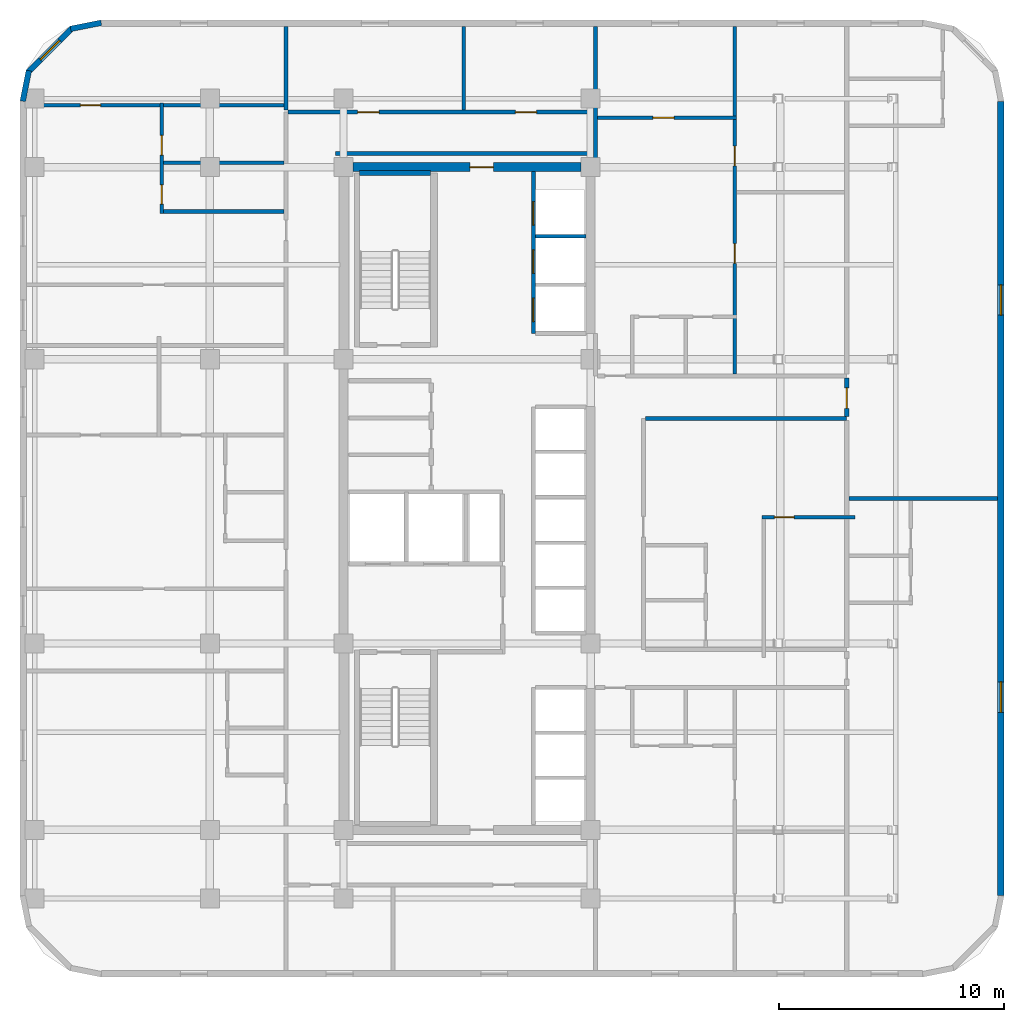
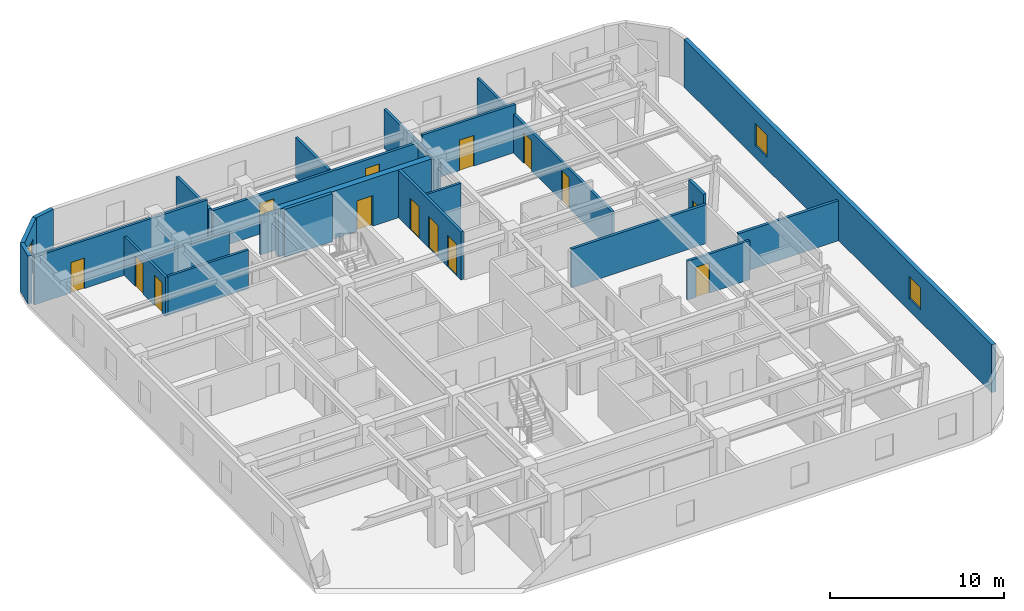
# One storey, part 6 of 8: 23 walls, 14 doors, 3 windows, 17 openings.
"""IFC4 building model written with IfcOpenShell, lengths in metres."""

from ifc_helpers import new_model, si_unit, direction, frame, frame_2d, origin, place, context, subcontext, project, spatial, rectangle, extrude, material, layer, layer_set, type_object, element, fill, save


model = new_model("IFC4")

# Units and contexts
model_context = context("Model", 3, precision=1e-05, world=origin(), true_north=direction((0.0, 1.0)))
body_context = subcontext(model_context, "Body", "Model", "MODEL_VIEW")
ifc_project = project(units=[si_unit("LENGTHUNIT", "METRE"), si_unit("AREAUNIT", "SQUARE_METRE"), si_unit("VOLUMEUNIT", "CUBIC_METRE"), si_unit("PLANEANGLEUNIT", "RADIAN"), si_unit("MASSUNIT", "GRAM", prefix="KILO")], contexts=[model_context])

# Site, building, storey
site_placement = place(None, origin())
site = spatial("IfcSite", under=ifc_project, at=site_placement, CompositionType="ELEMENT")
building_placement = place(site_placement, origin())
building = spatial("IfcBuilding", under=site, at=building_placement, Name="Ochreholt Gables", CompositionType="ELEMENT")
storey_placement = place(building_placement, frame((0.0, 0.0, 102.60009765625)))
storey = spatial("IfcBuildingStorey", under=building, at=storey_placement, Name="L26", CompositionType="ELEMENT", Elevation=102.60009765625)

# Wall, opening, door
ifc_material_1 = material(Name="Concrete 60 MPa", Category="concrete")
ifc_layer_1 = layer(ifc_material_1, 0.39990234375, Name="Concrete 60 MPa")
ifc_layer_set_1 = layer_set([ifc_layer_1], Name="Concrete 60 MPa")
wall_type_1 = type_object("IfcWallType", Name="WALL-CSW-400", PredefinedType="SHEAR", material=ifc_layer_set_1)
wall_1_placement = place(storey_placement, frame((24.625, 38.75, 0.0), z_axis=(0.0, 0.0, 1.0), x_axis=(1.0, 0.0, 0.0)))
wall_1 = element("IfcWall", 1, at=wall_1_placement, inside=storey, type_object=wall_type_1, Name="L26 Core North Shear Wall", PredefinedType="SHEAR", context=body_context, shape_type="SweptSolid", body=[
    extrude(rectangle(XDim=10.14990234375, YDim=0.39990234375, at=frame_2d((5.074951171875, 0.0))), origin(), (0.0, 0.0, 1.0), 3.35986328125),
])
opening_1_placement = place(wall_1_placement, frame((5.199951171875, 0.0, 0.0)))
opening_1 = element("IfcOpeningElement", 2, at=opening_1_placement, cuts=wall_1, Name="Opening D-FLB", PredefinedType="OPENING", context=body_context, shape_type="SweptSolid", body=[
    extrude(rectangle(XDim=1.050048828125, YDim=2.14990234375, at=frame_2d((0.52490234375, 1.074951171875))), frame((0.0, 0.2099609375, 0.0), z_axis=(0.0, -1.0, 0.0), x_axis=(1.0, 0.0, 0.0)), (0.0, 0.0, 1.0), 0.419921875),
])
ifc_material_2 = material(Name="Hollow Metal Steel", Category="steel")
door_type_1 = type_object("IfcDoorType", Name="DR-INT-FLB1050", OperationType="NOTDEFINED", PredefinedType="DOOR", material=ifc_material_2)
door_1_placement = place(opening_1_placement, frame((1.050048828125, 0.0, 0.0), z_axis=(0.0, 0.0, 1.0), x_axis=(-1.0, 0.0, 0.0)))
door_1 = element("IfcDoor", 3, at=door_1_placement, inside=storey, type_object=door_type_1, Name="L26 Door D-C2CRN-L26", OperationType="SINGLE_SWING_RIGHT", OverallHeight=2.14990234375, OverallWidth=1.050048828125, PredefinedType="DOOR", context=body_context, shape_type="SweptSolid", body=[
    extrude(rectangle(XDim=1.050048828125, YDim=2.14990234375, at=frame_2d((0.52490234375, 1.074951171875))), frame((0.0, 0.02490234375, 0.0), z_axis=(0.0, -1.0, 0.0), x_axis=(1.0, 0.0, 0.0)), (0.0, 0.0, 1.0), 0.050048828125),
])
fill(opening_1, door_1)

# Wall, openings, windows
ifc_material_3 = material(Name="Precast concrete 40 MPa", Category="concrete")
ifc_layer_2 = layer(ifc_material_3, 0.280029296875, Name="Precast concrete 40 MPa")
ifc_layer_set_2 = layer_set([ifc_layer_2], Name="Precast concrete 40 MPa")
wall_type_2 = type_object("IfcWallType", Name="WALL-EXT-280", PredefinedType="SOLIDWALL", material=ifc_layer_set_2)
wall_2_placement = place(storey_placement, frame((53.4599609375, 6.320068359375, 0.0), z_axis=(0.0, 0.0, 1.0), x_axis=(0.0, 1.0, 0.0)))
wall_2 = element("IfcWall", 4, at=wall_2_placement, inside=storey, type_object=wall_type_2, Name="L26 East Exterior Wall", PredefinedType="SOLIDWALL", context=body_context, shape_type="SweptSolid", body=[
    extrude(rectangle(XDim=35.35986328125, YDim=0.280029296875, at=frame_2d((17.679931640625, 0.0))), origin(), (0.0, 0.0, 1.0), 3.35986328125),
])
opening_2_placement = place(wall_2_placement, frame((8.1650390625, 0.0, 0.85009765625)))
opening_2 = element("IfcOpeningElement", 5, at=opening_2_placement, cuts=wall_2, Name="Opening WN-8", PredefinedType="OPENING", context=body_context, shape_type="SweptSolid", body=[
    extrude(rectangle(XDim=1.35009765625, YDim=1.550048828125, at=frame_2d((0.675048828125, 0.77490234375))), frame((0.0, 0.14990234375, 0.0), z_axis=(0.0, -1.0, 0.0), x_axis=(1.0, 0.0, 0.0)), (0.0, 0.0, 1.0), 0.300048828125),
])
opening_3_placement = place(wall_2_placement, frame((25.844970703125, 0.0, 0.85009765625)))
opening_3 = element("IfcOpeningElement", 6, at=opening_3_placement, cuts=wall_2, Name="Opening WN-8", PredefinedType="OPENING", context=body_context, shape_type="SweptSolid", body=[
    extrude(rectangle(XDim=1.35009765625, YDim=1.550048828125, at=frame_2d((0.675048828125, 0.77490234375))), frame((0.0, 0.14990234375, 0.0), z_axis=(0.0, -1.0, 0.0), x_axis=(1.0, 0.0, 0.0)), (0.0, 0.0, 1.0), 0.300048828125),
])
ifc_material_4 = material(Name="Triple-Glazed Thermally Broken Aluminium Window", Category="aluminium")
window_type_1 = type_object("IfcWindowType", Name="WIN-RES-1350", PartitioningType="SINGLE_PANEL", PredefinedType="WINDOW", material=ifc_material_4)
window_1_placement = place(opening_2_placement, origin())
window_1 = element("IfcWindow", 7, at=window_1_placement, inside=storey, type_object=window_type_1, Name="L26 Window W-EXT-E-L26-1", OverallHeight=1.550048828125, OverallWidth=1.35009765625, PartitioningType="SINGLE_PANEL", PredefinedType="WINDOW", context=body_context, shape_type="SweptSolid", body=[
    extrude(rectangle(XDim=1.35009765625, YDim=1.550048828125, at=frame_2d((0.675048828125, 0.77490234375))), frame((0.0, 0.030029296875, 0.0), z_axis=(0.0, -1.0, 0.0), x_axis=(1.0, 0.0, 0.0)), (0.0, 0.0, 1.0), 0.06005859375),
])
fill(opening_2, window_1)
window_2_placement = place(opening_3_placement, origin())
window_2 = element("IfcWindow", 8, at=window_2_placement, inside=storey, type_object=window_type_1, Name="L26 Window W-EXT-E-L26-2", OverallHeight=1.550048828125, OverallWidth=1.35009765625, PartitioningType="SINGLE_PANEL", PredefinedType="WINDOW", context=body_context, shape_type="SweptSolid", body=[
    extrude(rectangle(XDim=1.35009765625, YDim=1.550048828125, at=frame_2d((0.675048828125, 0.77490234375))), frame((0.0, 0.030029296875, 0.0), z_axis=(0.0, -1.0, 0.0), x_axis=(1.0, 0.0, 0.0)), (0.0, 0.0, 1.0), 0.06005859375),
])
fill(opening_3, window_2)

# Wall
ifc_layer_3 = layer(ifc_material_3, 0.25, Name="Precast concrete 40 MPa")
ifc_layer_set_3 = layer_set([ifc_layer_3], Name="Precast concrete 40 MPa")
wall_type_3 = type_object("IfcWallType", Name="WALL-EXT-CNR", PredefinedType="SOLIDWALL", material=ifc_layer_set_3)
wall_3_placement = place(storey_placement, frame((13.41650390625, 45.17578125, 0.0), z_axis=(0.0, 0.0, 1.0), x_axis=(-0.980809899341, -0.19496651342, 0.0)))
element("IfcWall", 9, at=wall_3_placement, inside=storey, type_object=wall_type_3, Name="L26 Rounded Corner Wall NW-1", PredefinedType="SOLIDWALL", context=body_context, shape_type="SweptSolid", body=[
    extrude(rectangle(XDim=1.388671875, YDim=0.25, at=frame_2d((0.6943359375, 0.0))), origin(), (0.0, 0.0, 1.0), 3.35986328125),
])

# Wall, opening, window
wall_4_placement = place(storey_placement, frame((12.10498046875, 44.931884765625, 0.0), z_axis=(0.0, 0.0, 1.0), x_axis=(-0.707151344399, -0.707062215165, 0.0)))
wall_4 = element("IfcWall", 10, at=wall_4_placement, inside=storey, type_object=wall_type_3, Name="L26 Rounded Corner Wall NW-2", PredefinedType="SOLIDWALL", context=body_context, shape_type="SweptSolid", body=[
    extrude(rectangle(XDim=2.7392578125, YDim=0.25, at=frame_2d((1.36962890625, 0.0))), origin(), (0.0, 0.0, 1.0), 3.35986328125),
])
opening_4_placement = place(wall_4_placement, frame((0.769775390625, 0.0, 0.85009765625)))
opening_4 = element("IfcOpeningElement", 11, at=opening_4_placement, cuts=wall_4, Name="Opening WN-3", PredefinedType="OPENING", context=body_context, shape_type="SweptSolid", body=[
    extrude(rectangle(XDim=1.199951171875, YDim=1.5, at=frame_2d((0.60009765625, 0.75))), frame((0.0, 0.135009765625, 0.0), z_axis=(0.0, -1.0, 0.0), x_axis=(1.0, 0.0, 0.0)), (0.0, 0.0, 1.0), 0.27001953125),
])
window_type_2 = type_object("IfcWindowType", Name="WIN-RES-1200", PartitioningType="SINGLE_PANEL", PredefinedType="WINDOW", material=ifc_material_4)
window_3_placement = place(opening_4_placement, origin())
window_3 = element("IfcWindow", 12, at=window_3_placement, inside=storey, type_object=window_type_2, Name="L26 Corner Bedroom Window NW", OverallHeight=1.5, OverallWidth=1.199951171875, PartitioningType="SINGLE_PANEL", PredefinedType="WINDOW", context=body_context, shape_type="SweptSolid", body=[
    extrude(rectangle(XDim=1.199951171875, YDim=1.5, at=frame_2d((0.60009765625, 0.75))), frame((0.0, 0.030029296875, 0.0), z_axis=(0.0, -1.0, 0.0), x_axis=(1.0, 0.0, 0.0)), (0.0, 0.0, 1.0), 0.06005859375),
])
fill(opening_4, window_3)

# Walls
wall_5_placement = place(storey_placement, frame((10.195068359375, 43.04541015625, 0.0), z_axis=(0.0, 0.0, 1.0), x_axis=(-0.195000137217, -0.980803214965, 0.0)))
element("IfcWall", 13, at=wall_5_placement, inside=storey, type_object=wall_type_3, Name="L26 Rounded Corner Wall NW-3", PredefinedType="SOLIDWALL", context=body_context, shape_type="SweptSolid", body=[
    extrude(rectangle(XDim=1.388427734375, YDim=0.25, at=frame_2d((0.6943359375, 0.0))), origin(), (0.0, 0.0, 1.0), 3.35986328125),
])
ifc_material_5 = material(Name="Fire-Rated Gypsum Acoustic Partition", Category="gypsum")
ifc_layer_4 = layer(ifc_material_5, 0.179931640625, Name="Fire-Rated Gypsum Acoustic Partition")
ifc_layer_set_4 = layer_set([ifc_layer_4], Name="Fire-Rated Gypsum Acoustic Partition")
wall_type_4 = type_object("IfcWallType", Name="WALL-INT-CR180", PredefinedType="STANDARD", material=ifc_layer_set_4)
wall_6_placement = place(storey_placement, frame((37.639892578125, 27.56005859375, 0.0), z_axis=(0.0, 0.0, 1.0), x_axis=(1.0, 0.0, 0.0)))
element("IfcWall", 14, at=wall_6_placement, inside=storey, type_object=wall_type_4, Name="L26 Interior Wall WI-C2SN1-L26", PredefinedType="STANDARD", context=body_context, shape_type="SweptSolid", body=[
    extrude(rectangle(XDim=8.960205078125, YDim=0.179931640625, at=frame_2d((4.47998046875, 0.0))), origin(), (0.0, 0.0, 1.0), 2.73095703125),
])

# Wall, openings, doors
wall_7_placement = place(storey_placement, frame((21.739990234375, 41.199951171875, 0.0), z_axis=(0.0, 0.0, 1.0), x_axis=(1.0, 0.0, 0.0)))
wall_7 = element("IfcWall", 15, at=wall_7_placement, inside=storey, type_object=wall_type_4, Name="L26 Interior Wall WI-C2WCN-L26", PredefinedType="STANDARD", context=body_context, shape_type="SweptSolid", body=[
    extrude(rectangle(XDim=13.679931640625, YDim=0.179931640625, at=frame_2d((6.83984375, 0.0))), origin(), (0.0, 0.0, 1.0), 2.73095703125),
])
opening_5_placement = place(wall_7_placement, frame((3.090087890625, 0.0, 0.0)))
opening_5 = element("IfcOpeningElement", 16, at=opening_5_placement, cuts=wall_7, Name="Opening D-GN1", PredefinedType="OPENING", context=body_context, shape_type="SweptSolid", body=[
    extrude(rectangle(XDim=0.949951171875, YDim=2.14990234375, at=frame_2d((0.47509765625, 1.074951171875))), frame((0.0, 0.099853515625, 0.0), z_axis=(0.0, -1.0, 0.0), x_axis=(1.0, 0.0, 0.0)), (0.0, 0.0, 1.0), 0.199951171875),
])
opening_6_placement = place(wall_7_placement, frame((10.110107421875, 0.0, 0.0)))
opening_6 = element("IfcOpeningElement", 17, at=opening_6_placement, cuts=wall_7, Name="Opening D-GN1", PredefinedType="OPENING", context=body_context, shape_type="SweptSolid", body=[
    extrude(rectangle(XDim=0.949951171875, YDim=2.14990234375, at=frame_2d((0.47509765625, 1.074951171875))), frame((0.0, 0.099853515625, 0.0), z_axis=(0.0, -1.0, 0.0), x_axis=(1.0, 0.0, 0.0)), (0.0, 0.0, 1.0), 0.199951171875),
])
ifc_material_6 = material(Name="Engineered Oak Timber", Category="wood")
door_type_2 = type_object("IfcDoorType", Name="DR-INT-GEN950", OperationType="NOTDEFINED", PredefinedType="DOOR", material=ifc_material_6)
door_2_placement = place(opening_5_placement, origin())
door_2 = element("IfcDoor", 18, at=door_2_placement, inside=storey, type_object=door_type_2, Name="L26 Door D-C2NRS1-L26", OperationType="SINGLE_SWING_RIGHT", OverallHeight=2.14990234375, OverallWidth=0.949951171875, PredefinedType="DOOR", context=body_context, shape_type="SweptSolid", body=[
    extrude(rectangle(XDim=0.949951171875, YDim=2.14990234375, at=frame_2d((0.47509765625, 1.074951171875))), frame((0.0, 0.02490234375, 0.0), z_axis=(0.0, -1.0, 0.0), x_axis=(1.0, 0.0, 0.0)), (0.0, 0.0, 1.0), 0.050048828125),
])
fill(opening_5, door_2)
door_3_placement = place(opening_6_placement, origin())
door_3 = element("IfcDoor", 19, at=door_3_placement, inside=storey, type_object=door_type_2, Name="L26 Door D-C2NRS2-L26", OperationType="SINGLE_SWING_LEFT", OverallHeight=2.14990234375, OverallWidth=0.949951171875, PredefinedType="DOOR", context=body_context, shape_type="SweptSolid", body=[
    extrude(rectangle(XDim=0.949951171875, YDim=2.14990234375, at=frame_2d((0.47509765625, 1.074951171875))), frame((0.0, 0.02490234375, 0.0), z_axis=(0.0, -1.0, 0.0), x_axis=(1.0, 0.0, 0.0)), (0.0, 0.0, 1.0), 0.050048828125),
])
fill(opening_6, door_3)

# Wall
wall_8_placement = place(storey_placement, frame((23.85009765625, 39.35009765625, 0.0), z_axis=(0.0, 0.0, 1.0), x_axis=(1.0, 0.0, 0.0)))
element("IfcWall", 20, at=wall_8_placement, inside=storey, type_object=wall_type_4, Name="L26 Interior Wall WI-C2WCN2-L26", PredefinedType="STANDARD", context=body_context, shape_type="SweptSolid", body=[
    extrude(rectangle(XDim=11.56982421875, YDim=0.179931640625, at=frame_2d((5.784912109375, 0.0))), origin(), (0.0, 0.0, 1.0), 2.73095703125),
])

# Wall, opening, door
wall_9_placement = place(storey_placement, frame((46.60009765625, 27.64990234375, 0.0), z_axis=(0.0, 0.0, 1.0), x_axis=(0.0, 1.0, 0.0)))
wall_9 = element("IfcWall", 21, at=wall_9_placement, inside=storey, type_object=wall_type_4, Name="L26 Interior Wall WI-C2SNE-L26", PredefinedType="STANDARD", context=body_context, shape_type="SweptSolid", body=[
    extrude(rectangle(XDim=1.72021484375, YDim=0.179931640625, at=frame_2d((0.860107421875, 0.0))), origin(), (0.0, 0.0, 1.0), 3.35986328125),
])
opening_7_placement = place(wall_9_placement, frame((0.360107421875, 0.0, 0.0)))
opening_7 = element("IfcOpeningElement", 22, at=opening_7_placement, cuts=wall_9, Name="Opening D-UN1", PredefinedType="OPENING", context=body_context, shape_type="SweptSolid", body=[
    extrude(rectangle(XDim=0.919921875, YDim=2.14990234375, at=frame_2d((0.4599609375, 1.074951171875))), frame((0.0, 0.099853515625, 0.0), z_axis=(0.0, -1.0, 0.0), x_axis=(1.0, 0.0, 0.0)), (0.0, 0.0, 1.0), 0.199951171875),
])
door_type_3 = type_object("IfcDoorType", Name="DR-INT-UNT920", OperationType="NOTDEFINED", PredefinedType="DOOR", material=ifc_material_6)
door_4_placement = place(opening_7_placement, origin())
door_4 = element("IfcDoor", 23, at=door_4_placement, inside=storey, type_object=door_type_3, Name="L26 Door D-U-L26FEN-ENT", OperationType="SINGLE_SWING_RIGHT", OverallHeight=2.14990234375, OverallWidth=0.919921875, PredefinedType="DOOR", context=body_context, shape_type="SweptSolid", body=[
    extrude(rectangle(XDim=0.919921875, YDim=2.14990234375, at=frame_2d((0.4599609375, 1.074951171875))), frame((0.0, 0.02490234375, 0.0), z_axis=(0.0, -1.0, 0.0), x_axis=(1.0, 0.0, 0.0)), (0.0, 0.0, 1.0), 0.050048828125),
])
fill(opening_7, door_4)

# Walls
ifc_material_7 = material(Name="Double-Stud Acoustic Demising Wall", Category="gypsum")
ifc_layer_5 = layer(ifc_material_7, 0.179931640625, Name="Double-Stud Acoustic Demising Wall")
ifc_layer_set_5 = layer_set([ifc_layer_5], Name="Double-Stud Acoustic Demising Wall")
wall_type_5 = type_object("IfcWallType", Name="WALL-INT-DM180", PredefinedType="PARTITIONING", material=ifc_layer_set_5)
wall_10_placement = place(storey_placement, frame((21.64990234375, 41.2900390625, 0.0), z_axis=(0.0, 0.0, 1.0), x_axis=(0.0, 1.0, 0.0)))
element("IfcWall", 24, at=wall_10_placement, inside=storey, type_object=wall_type_5, Name="L26 Interior Wall WI-C2WWN-L26", PredefinedType="PARTITIONING", context=body_context, shape_type="SweptSolid", body=[
    extrude(rectangle(XDim=3.72998046875, YDim=0.179931640625, at=frame_2d((1.864990234375, 0.0))), origin(), (0.0, 0.0, 1.0), 2.808837890625),
])
wall_11_placement = place(storey_placement, frame((35.419921875, 38.75, 0.0), z_axis=(0.0, 0.0, 1.0), x_axis=(0.0, 1.0, 0.0)))
element("IfcWall", 25, at=wall_11_placement, inside=storey, type_object=wall_type_5, Name="L26 Interior Wall WI-C2NEN-L26", PredefinedType="PARTITIONING", context=body_context, shape_type="SweptSolid", body=[
    extrude(rectangle(XDim=6.27001953125, YDim=0.179931640625, at=frame_2d((3.135009765625, 0.0))), origin(), (0.0, 0.0, 1.0), 2.73095703125),
])
wall_12_placement = place(storey_placement, frame((46.68994140625, 24.0, 0.0), z_axis=(0.0, 0.0, 1.0), x_axis=(1.0, 0.0, 0.0)))
element("IfcWall", 26, at=wall_12_placement, inside=storey, type_object=wall_type_5, Name="L26 Interior Wall WI-C2FED-L26", PredefinedType="PARTITIONING", context=body_context, shape_type="SweptSolid", body=[
    extrude(rectangle(XDim=6.630126953125, YDim=0.179931640625, at=frame_2d((3.31494140625, 0.0))), origin(), (0.0, 0.0, 1.0), 2.808837890625),
])
ifc_material_8 = material(Name="Moisture-Resistant Plumbing Chase Wall", Category="gypsum")
ifc_layer_6 = layer(ifc_material_8, 0.159912109375, Name="Moisture-Resistant Plumbing Chase Wall")
ifc_layer_set_6 = layer_set([ifc_layer_6], Name="Moisture-Resistant Plumbing Chase Wall")
wall_type_6 = type_object("IfcWallType", Name="WALL-INT-PL160", PredefinedType="PLUMBINGWALL", material=ifc_layer_set_6)
wall_13_placement = place(storey_placement, frame((16.030029296875, 36.7744140625, 0.0), z_axis=(0.0, 0.0, 1.0), x_axis=(1.0, 0.0, 0.0)))
element("IfcWall", 27, at=wall_13_placement, inside=storey, type_object=wall_type_6, Name="L26 Interior Wall WU-L26W3-FYS", PredefinedType="PLUMBINGWALL", context=body_context, shape_type="SweptSolid", body=[
    extrude(rectangle(XDim=5.530029296875, YDim=0.159912109375, at=frame_2d((2.76513671875, 0.0))), origin(), (0.0, 0.0, 1.0), 2.73095703125),
])

# Wall, openings, doors
wall_14_placement = place(storey_placement, frame((16.110107421875, 36.6845703125, 0.0), z_axis=(0.0, 0.0, 1.0), x_axis=(0.0, 1.0, 0.0)))
wall_14 = element("IfcWall", 28, at=wall_14_placement, inside=storey, type_object=wall_type_6, Name="L26 Interior Wall WU-L26W3-WX", PredefinedType="PLUMBINGWALL", context=body_context, shape_type="SweptSolid", body=[
    extrude(rectangle(XDim=4.91552734375, YDim=0.159912109375, at=frame_2d((2.457763671875, 0.0))), origin(), (0.0, 0.0, 1.0), 2.73095703125),
])
opening_8_placement = place(wall_14_placement, frame((0.419921875, 0.0, 0.0)))
opening_8 = element("IfcOpeningElement", 29, at=opening_8_placement, cuts=wall_14, Name="Opening D-BT1", PredefinedType="OPENING", context=body_context, shape_type="SweptSolid", body=[
    extrude(rectangle(XDim=0.860107421875, YDim=2.1201171875, at=frame_2d((0.43017578125, 1.06005859375))), frame((0.0, 0.08984375, 0.0), z_axis=(0.0, -1.0, 0.0), x_axis=(1.0, 0.0, 0.0)), (0.0, 0.0, 1.0), 0.179931640625),
])
opening_9_placement = place(wall_14_placement, frame((2.598388671875, 0.0, 0.0)))
opening_9 = element("IfcOpeningElement", 30, at=opening_9_placement, cuts=wall_14, Name="Opening D-GN2", PredefinedType="OPENING", context=body_context, shape_type="SweptSolid", body=[
    extrude(rectangle(XDim=0.8798828125, YDim=2.1201171875, at=frame_2d((0.43994140625, 1.06005859375))), frame((0.0, 0.08984375, 0.0), z_axis=(0.0, -1.0, 0.0), x_axis=(1.0, 0.0, 0.0)), (0.0, 0.0, 1.0), 0.179931640625),
])
door_type_4 = type_object("IfcDoorType", Name="DR-INT-BTH860", OperationType="NOTDEFINED", PredefinedType="DOOR", material=ifc_material_6)
door_5_placement = place(opening_8_placement, origin())
door_5 = element("IfcDoor", 31, at=door_5_placement, inside=storey, type_object=door_type_4, Name="L26 Door D-U-L26W3-BTH", OperationType="SINGLE_SWING_RIGHT", OverallHeight=2.1201171875, OverallWidth=0.860107421875, PredefinedType="DOOR", context=body_context, shape_type="SweptSolid", body=[
    extrude(rectangle(XDim=0.860107421875, YDim=2.1201171875, at=frame_2d((0.43017578125, 1.06005859375))), frame((0.0, 0.02490234375, 0.0), z_axis=(0.0, -1.0, 0.0), x_axis=(1.0, 0.0, 0.0)), (0.0, 0.0, 1.0), 0.050048828125),
])
fill(opening_8, door_5)
door_type_5 = type_object("IfcDoorType", Name="DR-INT-GEN880", OperationType="NOTDEFINED", PredefinedType="DOOR", material=ifc_material_6)
door_6_placement = place(opening_9_placement, origin())
door_6 = element("IfcDoor", 32, at=door_6_placement, inside=storey, type_object=door_type_5, Name="L26 Door D-U-L26W3-KIT", OperationType="SINGLE_SWING_LEFT", OverallHeight=2.1201171875, OverallWidth=0.8798828125, PredefinedType="DOOR", context=body_context, shape_type="SweptSolid", body=[
    extrude(rectangle(XDim=0.8798828125, YDim=2.1201171875, at=frame_2d((0.43994140625, 1.06005859375))), frame((0.0, 0.02490234375, 0.0), z_axis=(0.0, -1.0, 0.0), x_axis=(1.0, 0.0, 0.0)), (0.0, 0.0, 1.0), 0.050048828125),
])
fill(opening_9, door_6)

# Wall
wall_15_placement = place(storey_placement, frame((16.18994140625, 38.952880859375, 0.0), z_axis=(0.0, 0.0, 1.0), x_axis=(1.0, 0.0, 0.0)))
element("IfcWall", 33, at=wall_15_placement, inside=storey, type_object=wall_type_6, Name="L26 Interior Wall WU-L26W3-WK", PredefinedType="PLUMBINGWALL", context=body_context, shape_type="SweptSolid", body=[
    extrude(rectangle(XDim=5.3701171875, YDim=0.159912109375, at=frame_2d((2.68505859375, 0.0))), origin(), (0.0, 0.0, 1.0), 2.73095703125),
])

# Wall, openings, doors
ifc_material_9 = material(Name="Gypsum Acoustic Stud Partition", Category="gypsum")
ifc_layer_7 = layer(ifc_material_9, 0.1650390625, Name="Gypsum Acoustic Stud Partition")
ifc_layer_set_7 = layer_set([ifc_layer_7], Name="Gypsum Acoustic Stud Partition")
wall_type_7 = type_object("IfcWallType", Name="WALL-INT-PT165", PredefinedType="PARTITIONING", material=ifc_layer_set_7)
wall_16_placement = place(storey_placement, frame((41.610107421875, 29.550048828125, 0.0), z_axis=(0.0, 0.0, 1.0), x_axis=(0.0, 1.0, 0.0)))
wall_16 = element("IfcWall", 34, at=wall_16_placement, inside=storey, type_object=wall_type_7, Name="L26 Interior Wall WU-L26N1-MNX", PredefinedType="PARTITIONING", context=body_context, shape_type="SweptSolid", body=[
    extrude(rectangle(XDim=15.469970703125, YDim=0.1650390625, at=frame_2d((7.73486328125, 0.0))), origin(), (0.0, 0.0, 1.0), 2.73095703125),
])
opening_10_placement = place(wall_16_placement, frame((4.91748046875, 0.0, 0.0)))
opening_10 = element("IfcOpeningElement", 35, at=opening_10_placement, cuts=wall_16, Name="Opening D-BD2", PredefinedType="OPENING", context=body_context, shape_type="SweptSolid", body=[
    extrude(rectangle(XDim=0.8798828125, YDim=2.139892578125, at=frame_2d((0.43994140625, 1.06982421875))), frame((0.0, 0.092529296875, 0.0), z_axis=(0.0, -1.0, 0.0), x_axis=(1.0, 0.0, 0.0)), (0.0, 0.0, 1.0), 0.18505859375),
])
opening_11_placement = place(wall_16_placement, frame((9.2548828125, 0.0, 0.0)))
opening_11 = element("IfcOpeningElement", 36, at=opening_11_placement, cuts=wall_16, Name="Opening D-BD2", PredefinedType="OPENING", context=body_context, shape_type="SweptSolid", body=[
    extrude(rectangle(XDim=0.8798828125, YDim=2.139892578125, at=frame_2d((0.43994140625, 1.06982421875))), frame((0.0, 0.092529296875, 0.0), z_axis=(0.0, -1.0, 0.0), x_axis=(1.0, 0.0, 0.0)), (0.0, 0.0, 1.0), 0.18505859375),
])
door_type_6 = type_object("IfcDoorType", Name="DR-INT-BED880", OperationType="NOTDEFINED", PredefinedType="DOOR", material=ifc_material_6)
door_7_placement = place(opening_10_placement, origin())
door_7 = element("IfcDoor", 37, at=door_7_placement, inside=storey, type_object=door_type_6, Name="L26 Door D-U-L26N1-BD1", OperationType="SINGLE_SWING_LEFT", OverallHeight=2.139892578125, OverallWidth=0.8798828125, PredefinedType="DOOR", context=body_context, shape_type="SweptSolid", body=[
    extrude(rectangle(XDim=0.8798828125, YDim=2.139892578125, at=frame_2d((0.43994140625, 1.06982421875))), frame((0.0, 0.02490234375, 0.0), z_axis=(0.0, -1.0, 0.0), x_axis=(1.0, 0.0, 0.0)), (0.0, 0.0, 1.0), 0.050048828125),
])
fill(opening_10, door_7)
door_8_placement = place(opening_11_placement, origin())
door_8 = element("IfcDoor", 38, at=door_8_placement, inside=storey, type_object=door_type_6, Name="L26 Door D-U-L26N1-BD2", OperationType="SINGLE_SWING_RIGHT", OverallHeight=2.139892578125, OverallWidth=0.8798828125, PredefinedType="DOOR", context=body_context, shape_type="SweptSolid", body=[
    extrude(rectangle(XDim=0.8798828125, YDim=2.139892578125, at=frame_2d((0.43994140625, 1.06982421875))), frame((0.0, 0.02490234375, 0.0), z_axis=(0.0, -1.0, 0.0), x_axis=(1.0, 0.0, 0.0)), (0.0, 0.0, 1.0), 0.050048828125),
])
fill(opening_11, door_8)

# Wall, opening, door
wall_17_placement = place(storey_placement, frame((35.510009765625, 40.949951171875, 0.0), z_axis=(0.0, 0.0, 1.0), x_axis=(1.0, 0.0, 0.0)))
wall_17 = element("IfcWall", 39, at=wall_17_placement, inside=storey, type_object=wall_type_7, Name="L26 Interior Wall WU-L26N1-DNY", PredefinedType="PARTITIONING", context=body_context, shape_type="SweptSolid", body=[
    extrude(rectangle(XDim=6.179931640625, YDim=0.1650390625, at=frame_2d((3.08984375, 0.0))), origin(), (0.0, 0.0, 1.0), 3.35986328125),
])
opening_12_placement = place(wall_17_placement, frame((2.455078125, 0.0, 0.0)))
opening_12 = element("IfcOpeningElement", 40, at=opening_12_placement, cuts=wall_17, Name="Opening D-GN1", PredefinedType="OPENING", context=body_context, shape_type="SweptSolid", body=[
    extrude(rectangle(XDim=0.949951171875, YDim=2.14990234375, at=frame_2d((0.47509765625, 1.074951171875))), frame((0.0, 0.092529296875, 0.0), z_axis=(0.0, -1.0, 0.0), x_axis=(1.0, 0.0, 0.0)), (0.0, 0.0, 1.0), 0.18505859375),
])
door_9_placement = place(opening_12_placement, origin())
door_9 = element("IfcDoor", 41, at=door_9_placement, inside=storey, type_object=door_type_2, Name="L26 Door D-U-L26N1-DIN", OperationType="SINGLE_SWING_RIGHT", OverallHeight=2.14990234375, OverallWidth=0.949951171875, PredefinedType="DOOR", context=body_context, shape_type="SweptSolid", body=[
    extrude(rectangle(XDim=0.949951171875, YDim=2.14990234375, at=frame_2d((0.47509765625, 1.074951171875))), frame((0.0, 0.02490234375, 0.0), z_axis=(0.0, -1.0, 0.0), x_axis=(1.0, 0.0, 0.0)), (0.0, 0.0, 1.0), 0.050048828125),
])
fill(opening_12, door_9)

wall_18_placement = place(storey_placement, frame((42.830078125, 23.169921875, 0.0), z_axis=(0.0, 0.0, 1.0), x_axis=(1.0, 0.0, 0.0)))
wall_18 = element("IfcWall", 42, at=wall_18_placement, inside=storey, type_object=wall_type_7, Name="L26 Interior Wall WU-L26M1-STN", PredefinedType="PARTITIONING", context=body_context, shape_type="SweptSolid", body=[
    extrude(rectangle(XDim=4.1298828125, YDim=0.1650390625, at=frame_2d((2.06494140625, 0.0))), origin(), (0.0, 0.0, 1.0), 2.73095703125),
])
opening_13_placement = place(wall_18_placement, frame((0.550048828125, 0.0, 0.0)))
opening_13 = element("IfcOpeningElement", 43, at=opening_13_placement, cuts=wall_18, Name="Opening D-GN2", PredefinedType="OPENING", context=body_context, shape_type="SweptSolid", body=[
    extrude(rectangle(XDim=0.8798828125, YDim=2.1201171875, at=frame_2d((0.43994140625, 1.06005859375))), frame((0.0, 0.092529296875, 0.0), z_axis=(0.0, -1.0, 0.0), x_axis=(1.0, 0.0, 0.0)), (0.0, 0.0, 1.0), 0.18505859375),
])
door_10_placement = place(opening_13_placement, origin())
door_10 = element("IfcDoor", 44, at=door_10_placement, inside=storey, type_object=door_type_5, Name="L26 Door D-U-L26M1-STD", OperationType="SINGLE_SWING_LEFT", OverallHeight=2.1201171875, OverallWidth=0.8798828125, PredefinedType="DOOR", context=body_context, shape_type="SweptSolid", body=[
    extrude(rectangle(XDim=0.8798828125, YDim=2.1201171875, at=frame_2d((0.43994140625, 1.06005859375))), frame((0.0, 0.02490234375, 0.0), z_axis=(0.0, -1.0, 0.0), x_axis=(1.0, 0.0, 0.0)), (0.0, 0.0, 1.0), 0.050048828125),
])
fill(opening_13, door_10)

wall_19_placement = place(storey_placement, frame((10.080078125, 41.510009765625, 0.0), z_axis=(0.0, 0.0, 1.0), x_axis=(1.0, 0.0, 0.0)))
wall_19 = element("IfcWall", 45, at=wall_19_placement, inside=storey, type_object=wall_type_7, Name="L26 Interior Wall WU-L26W3-MN", PredefinedType="PARTITIONING", context=body_context, shape_type="SweptSolid", body=[
    extrude(rectangle(XDim=11.47998046875, YDim=0.1650390625, at=frame_2d((5.739990234375, 0.0))), origin(), (0.0, 0.0, 1.0), 3.35986328125),
])
opening_14_placement = place(wall_19_placement, frame((2.409912109375, 0.0, 0.0)))
opening_14 = element("IfcOpeningElement", 46, at=opening_14_placement, cuts=wall_19, Name="Opening D-BD1", PredefinedType="OPENING", context=body_context, shape_type="SweptSolid", body=[
    extrude(rectangle(XDim=0.89990234375, YDim=2.139892578125, at=frame_2d((0.449951171875, 1.06982421875))), frame((0.0, 0.092529296875, 0.0), z_axis=(0.0, -1.0, 0.0), x_axis=(1.0, 0.0, 0.0)), (0.0, 0.0, 1.0), 0.18505859375),
])
door_type_7 = type_object("IfcDoorType", Name="DR-INT-BED900", OperationType="NOTDEFINED", PredefinedType="DOOR", material=ifc_material_6)
door_11_placement = place(opening_14_placement, origin())
door_11 = element("IfcDoor", 47, at=door_11_placement, inside=storey, type_object=door_type_7, Name="L26 Door D-U-L26W3-BD1", OperationType="SINGLE_SWING_RIGHT", OverallHeight=2.139892578125, OverallWidth=0.89990234375, PredefinedType="DOOR", context=body_context, shape_type="SweptSolid", body=[
    extrude(rectangle(XDim=0.89990234375, YDim=2.139892578125, at=frame_2d((0.449951171875, 1.06982421875))), frame((0.0, 0.02490234375, 0.0), z_axis=(0.0, -1.0, 0.0), x_axis=(1.0, 0.0, 0.0)), (0.0, 0.0, 1.0), 0.050048828125),
])
fill(opening_14, door_11)

# Walls
wall_20_placement = place(storey_placement, frame((29.550048828125, 41.2900390625, 0.0), z_axis=(0.0, 0.0, 1.0), x_axis=(0.0, 1.0, 0.0)))
element("IfcWall", 48, at=wall_20_placement, inside=storey, type_object=wall_type_7, Name="L26 Interior Wall WI-C2PKN-L26", PredefinedType="PARTITIONING", context=body_context, shape_type="SweptSolid", body=[
    extrude(rectangle(XDim=3.72998046875, YDim=0.1650390625, at=frame_2d((1.864990234375, 0.0))), origin(), (0.0, 0.0, 1.0), 2.808837890625),
])
ifc_material_10 = material(Name="Gypsum Shaftliner and Steel Stud", Category="steel")
ifc_layer_8 = layer(ifc_material_10, 0.14990234375, Name="Gypsum Shaftliner and Steel Stud")
ifc_layer_set_8 = layer_set([ifc_layer_8], Name="Gypsum Shaftliner and Steel Stud")
wall_type_8 = type_object("IfcWallType", Name="WALL-INT-SH150", PredefinedType="STANDARD", material=ifc_layer_set_8)
wall_21_placement = place(storey_placement, frame((32.739990234375, 35.669921875, 0.0), z_axis=(0.0, 0.0, 1.0), x_axis=(1.0, 0.0, 0.0)))
element("IfcWall", 49, at=wall_21_placement, inside=storey, type_object=wall_type_8, Name="L26 Interior Wall WI-LFM-D2-L26", PredefinedType="STANDARD", context=body_context, shape_type="SweptSolid", body=[
    extrude(rectangle(XDim=2.260009765625, YDim=0.14990234375, at=frame_2d((1.1298828125, 0.0))), origin(), (0.0, 0.0, 1.0), 3.35986328125),
])

# Wall, openings, doors
ifc_layer_9 = layer(ifc_material_10, 0.179931640625, Name="Gypsum Shaftliner and Steel Stud")
ifc_layer_set_9 = layer_set([ifc_layer_9], Name="Gypsum Shaftliner and Steel Stud")
wall_type_9 = type_object("IfcWallType", Name="WALL-INT-SH180", PredefinedType="STANDARD", material=ifc_layer_set_9)
wall_22_placement = place(storey_placement, frame((32.64990234375, 31.35009765625, 0.0), z_axis=(0.0, 0.0, 1.0), x_axis=(0.0, 1.0, 0.0)))
wall_22 = element("IfcWall", 50, at=wall_22_placement, inside=storey, type_object=wall_type_9, Name="L26 Interior Wall WI-LFM-FR-L26", PredefinedType="STANDARD", context=body_context, shape_type="SweptSolid", body=[
    extrude(rectangle(XDim=7.199951171875, YDim=0.179931640625, at=frame_2d((3.60009765625, 0.0))), origin(), (0.0, 0.0, 1.0), 3.35986328125),
])
opening_15_placement = place(wall_22_placement, frame((0.52001953125, 0.0, 0.0)))
opening_15 = element("IfcOpeningElement", 51, at=opening_15_placement, cuts=wall_22, Name="Opening LD-PX", PredefinedType="OPENING", context=body_context, shape_type="SweptSolid", body=[
    extrude(rectangle(XDim=1.050048828125, YDim=2.199951171875, at=frame_2d((0.52490234375, 1.10009765625))), frame((0.0, 0.099853515625, 0.0), z_axis=(0.0, -1.0, 0.0), x_axis=(1.0, 0.0, 0.0)), (0.0, 0.0, 1.0), 0.199951171875),
])
opening_16_placement = place(wall_22_placement, frame((2.669921875, 0.0, 0.0)))
opening_16 = element("IfcOpeningElement", 52, at=opening_16_placement, cuts=wall_22, Name="Opening LD-PX", PredefinedType="OPENING", context=body_context, shape_type="SweptSolid", body=[
    extrude(rectangle(XDim=1.050048828125, YDim=2.199951171875, at=frame_2d((0.52490234375, 1.10009765625))), frame((0.0, 0.099853515625, 0.0), z_axis=(0.0, -1.0, 0.0), x_axis=(1.0, 0.0, 0.0)), (0.0, 0.0, 1.0), 0.199951171875),
])
opening_17_placement = place(wall_22_placement, frame((4.820068359375, 0.0, 0.0)))
opening_17 = element("IfcOpeningElement", 53, at=opening_17_placement, cuts=wall_22, Name="Opening LD-PX", PredefinedType="OPENING", context=body_context, shape_type="SweptSolid", body=[
    extrude(rectangle(XDim=1.050048828125, YDim=2.199951171875, at=frame_2d((0.52490234375, 1.10009765625))), frame((0.0, 0.099853515625, 0.0), z_axis=(0.0, -1.0, 0.0), x_axis=(1.0, 0.0, 0.0)), (0.0, 0.0, 1.0), 0.199951171875),
])
ifc_material_11 = material(Name="Stainless Steel", Category="steel")
door_type_8 = type_object("IfcDoorType", Name="DR-LFT-PX1050", OperationType="NOTDEFINED", PredefinedType="DOOR", material=ifc_material_11)
door_12_placement = place(opening_15_placement, origin())
door_12 = element("IfcDoor", 54, at=door_12_placement, inside=storey, type_object=door_type_8, Name="L26 Door LD-M1-L26", OperationType="SLIDING_TO_LEFT", OverallHeight=2.199951171875, OverallWidth=1.050048828125, PredefinedType="DOOR", context=body_context, shape_type="SweptSolid", body=[
    extrude(rectangle(XDim=1.050048828125, YDim=2.199951171875, at=frame_2d((0.52490234375, 1.10009765625))), frame((0.0, 0.02490234375, 0.0), z_axis=(0.0, -1.0, 0.0), x_axis=(1.0, 0.0, 0.0)), (0.0, 0.0, 1.0), 0.050048828125),
])
fill(opening_15, door_12)
door_13_placement = place(opening_16_placement, origin())
door_13 = element("IfcDoor", 55, at=door_13_placement, inside=storey, type_object=door_type_8, Name="L26 Door LD-M2-L26", OperationType="SLIDING_TO_LEFT", OverallHeight=2.199951171875, OverallWidth=1.050048828125, PredefinedType="DOOR", context=body_context, shape_type="SweptSolid", body=[
    extrude(rectangle(XDim=1.050048828125, YDim=2.199951171875, at=frame_2d((0.52490234375, 1.10009765625))), frame((0.0, 0.02490234375, 0.0), z_axis=(0.0, -1.0, 0.0), x_axis=(1.0, 0.0, 0.0)), (0.0, 0.0, 1.0), 0.050048828125),
])
fill(opening_16, door_13)
door_14_placement = place(opening_17_placement, origin())
door_14 = element("IfcDoor", 56, at=door_14_placement, inside=storey, type_object=door_type_8, Name="L26 Door LD-M3-L26", OperationType="SLIDING_TO_LEFT", OverallHeight=2.199951171875, OverallWidth=1.050048828125, PredefinedType="DOOR", context=body_context, shape_type="SweptSolid", body=[
    extrude(rectangle(XDim=1.050048828125, YDim=2.199951171875, at=frame_2d((0.52490234375, 1.10009765625))), frame((0.0, 0.02490234375, 0.0), z_axis=(0.0, -1.0, 0.0), x_axis=(1.0, 0.0, 0.0)), (0.0, 0.0, 1.0), 0.050048828125),
])
fill(opening_17, door_14)

# Wall
ifc_material_12 = material(Name="Concrete 50 MPa", Category="concrete")
ifc_layer_10 = layer(ifc_material_12, 0.219970703125, Name="Concrete 50 MPa")
ifc_layer_set_10 = layer_set([ifc_layer_10], Name="Concrete 50 MPa")
wall_type_10 = type_object("IfcWallType", Name="WALL-STW-220", PredefinedType="SHEAR", material=ifc_layer_set_10)
wall_23_placement = place(storey_placement, frame((24.919921875, 38.489990234375, 0.0), z_axis=(0.0, 0.0, 1.0), x_axis=(1.0, 0.0, 0.0)))
element("IfcWall", 57, at=wall_23_placement, inside=storey, type_object=wall_type_10, Name="L26 Exit Stair 2 North Wall", PredefinedType="SHEAR", context=body_context, shape_type="SweptSolid", body=[
    extrude(rectangle(XDim=3.16015625, YDim=0.219970703125, at=frame_2d((1.580078125, 0.0))), origin(), (0.0, 0.0, 1.0), 3.35986328125),
])

save(model, "model.ifc")
